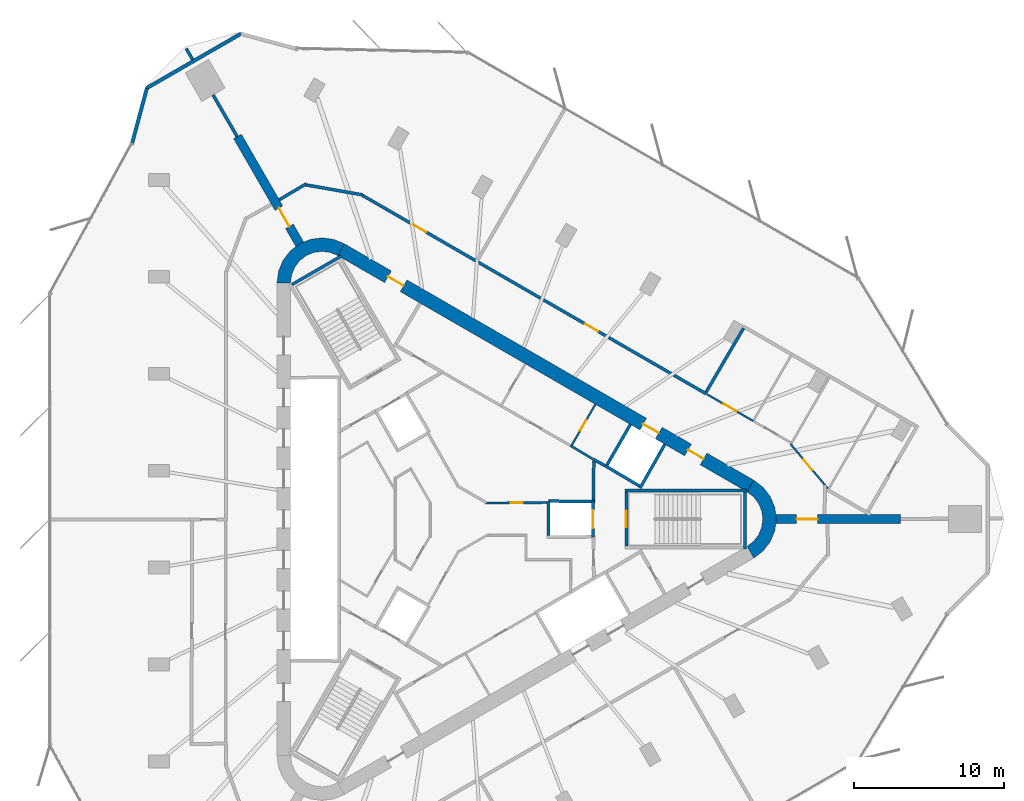
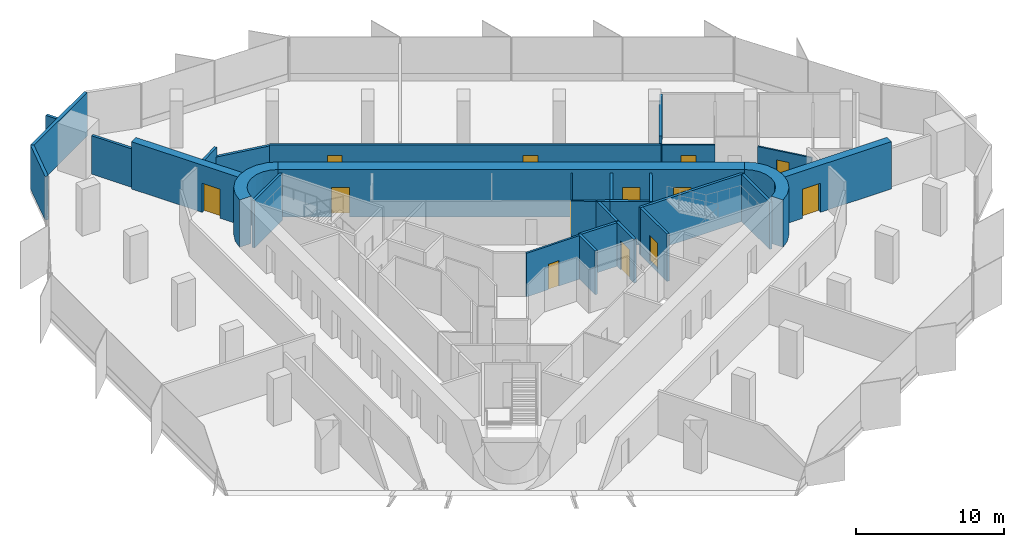
# One storey, part 10 of 12: 30 walls, 13 doors, 13 openings.
"""IFC4 building model written with IfcOpenShell, lengths in metres."""

from ifc_helpers import new_model, si_unit, direction, frame, frame_2d, origin, place, context, subcontext, project, spatial, polyline, rectangle, outline, extrude, material, layer, layer_set, type_object, element, fill, save


model = new_model("IFC4")

# Units and contexts
model_context = context("Model", 3, precision=1e-05, world=origin(), true_north=direction((0.0, 1.0)))
body_context = subcontext(model_context, "Body", "Model", "MODEL_VIEW")
ifc_project = project(units=[si_unit("LENGTHUNIT", "METRE"), si_unit("AREAUNIT", "SQUARE_METRE"), si_unit("VOLUMEUNIT", "CUBIC_METRE"), si_unit("PLANEANGLEUNIT", "RADIAN"), si_unit("MASSUNIT", "GRAM", prefix="KILO")], contexts=[model_context])

# Site, building, storey
site_placement = place(None, origin())
site = spatial("IfcSite", under=ifc_project, at=site_placement, CompositionType="ELEMENT")
building_placement = place(site_placement, origin())
building = spatial("IfcBuilding", under=site, at=building_placement, Name="Tanit Gate Tower", CompositionType="ELEMENT")
storey_placement = place(building_placement, frame((0.0, 0.0, 341.60009765625)))
storey = spatial("IfcBuildingStorey", under=building, at=storey_placement, Name="L77", CompositionType="ELEMENT", Elevation=341.60009765625)

# Wall, opening, door
ifc_material_1 = material(Name="Concrete C40/50", Category="concrete")
ifc_layer_1 = layer(ifc_material_1, 0.60009765625)
ifc_layer_set_1 = layer_set([ifc_layer_1], Name="BUTTRESS FIN 600 C40/50")
wall_type_1 = type_object("IfcWallType", Name="BUTTRESS FIN 600 C40/50", PredefinedType="SHEAR", material=ifc_layer_set_1)
wall_1_placement = place(storey_placement, frame((21.14990234375, 0.0, 0.0), z_axis=(0.0, 0.0, 1.0), x_axis=(1.0, 0.0, 0.0)))
wall_1 = element("IfcWall", 1, at=wall_1_placement, inside=storey, type_object=wall_type_1, Name="BUTTRESS FIN", PredefinedType="SHEAR", context=body_context, shape_type="SweptSolid", body=[
    extrude(rectangle(XDim=8.32080078125, YDim=0.60009765625, at=frame_2d((4.160400390625, 0.0))), origin(), (0.0, 0.0, 1.0), 3.89990234375),
])
opening_1_placement = place(wall_1_placement, frame((1.39990234375, 0.0, 0.0)))
opening_1 = element("IfcOpeningElement", 2, at=opening_1_placement, cuts=wall_1, Name="Opening P14-S21-F-E-1", PredefinedType="OPENING", context=body_context, shape_type="SweptSolid", body=[
    extrude(rectangle(XDim=1.39990234375, YDim=2.39990234375, at=frame_2d((0.699951171875, 1.199951171875))), frame((0.0, 0.31005859375, 0.0), z_axis=(0.0, -1.0, 0.0), x_axis=(1.0, 0.0, 0.0)), (0.0, 0.0, 1.0), 0.6201171875),
])
ifc_material_2 = material(Name="Timber door leaf", Category="wood")
door_type_1 = type_object("IfcDoorType", Name="INT-DOOR-FIN-PAIR-1400", OperationType="NOTDEFINED", PredefinedType="NOTDEFINED", material=ifc_material_2)
door_1_placement = place(opening_1_placement, origin())
door_1 = element("IfcDoor", 3, at=door_1_placement, inside=storey, type_object=door_type_1, Name="Door P14-S21-F-E-1", OperationType="DOUBLE_DOOR_SINGLE_SWING", OverallHeight=2.39990234375, OverallWidth=1.39990234375, PredefinedType="NOTDEFINED", context=body_context, shape_type="SweptSolid", body=[
    extrude(rectangle(XDim=1.39990234375, YDim=2.39990234375, at=frame_2d((0.699951171875, 1.199951171875))), frame((0.0, 0.02490234375, 0.0), z_axis=(0.0, -1.0, 0.0), x_axis=(1.0, 0.0, 0.0)), (0.0, 0.0, 1.0), 0.050048828125),
])
fill(opening_1, door_1)

wall_2_placement = place(storey_placement, frame((-10.574951171875, 18.31640625, 0.0), z_axis=(0.0, 0.0, 1.0), x_axis=(-0.499998447599, 0.866026300061, 0.0)))
wall_2 = element("IfcWall", 4, at=wall_2_placement, inside=storey, type_object=wall_type_1, Name="BUTTRESS FIN", PredefinedType="SHEAR", context=body_context, shape_type="SweptSolid", body=[
    extrude(rectangle(XDim=8.32080078125, YDim=0.60009765625, at=frame_2d((4.160400390625, 0.0))), origin(), (0.0, 0.0, 1.0), 3.89990234375),
])
opening_2_placement = place(wall_2_placement, frame((1.39990234375, 0.0, 0.0)))
opening_2 = element("IfcOpeningElement", 5, at=opening_2_placement, cuts=wall_2, Name="Opening P14-S21-F-NW-1", PredefinedType="OPENING", context=body_context, shape_type="SweptSolid", body=[
    extrude(rectangle(XDim=1.39990234375, YDim=2.39990234375, at=frame_2d((0.699951171875, 1.199951171875))), frame((0.0, 0.31005859375, 0.0), z_axis=(0.0, -1.0, 0.0), x_axis=(1.0, 0.0, 0.0)), (0.0, 0.0, 1.0), 0.6201171875),
])
door_2_placement = place(opening_2_placement, origin())
door_2 = element("IfcDoor", 6, at=door_2_placement, inside=storey, type_object=door_type_1, Name="Door P14-S21-F-NW-1", OperationType="DOUBLE_DOOR_SINGLE_SWING", OverallHeight=2.39990234375, OverallWidth=1.39990234375, PredefinedType="NOTDEFINED", context=body_context, shape_type="SweptSolid", body=[
    extrude(rectangle(XDim=1.39990234375, YDim=2.39990234375, at=frame_2d((0.699951171875, 1.199951171875))), frame((0.0, 0.02490234375, 0.0), z_axis=(0.0, -1.0, 0.0), x_axis=(1.0, 0.0, 0.0)), (0.0, 0.0, 1.0), 0.050048828125),
])
fill(opening_2, door_2)

# Wall, openings, doors
ifc_material_3 = material(Name="Concrete C40/50", Category="concrete")
ifc_layer_2 = layer(ifc_material_3, 0.89990234375)
ifc_layer_set_2 = layer_set([ifc_layer_2], Name="CORE WALL 900 C40/50")
wall_type_2 = type_object("IfcWallType", Name="CORE WALL 900 C40/50", PredefinedType="SHEAR", material=ifc_layer_set_2)
wall_3_placement = place(storey_placement, frame((19.47509765625, 2.20849609375, 0.0), z_axis=(0.0, 0.0, 1.0), x_axis=(-0.866028369851, 0.499994862586, 0.0)))
wall_3 = element("IfcWall", 7, at=wall_3_placement, inside=storey, type_object=wall_type_2, Name="CORE WALL", PredefinedType="SHEAR", context=body_context, shape_type="SweptSolid", body=[
    extrude(rectangle(XDim=31.523193359375, YDim=0.89990234375, at=frame_2d((15.76171875, 0.0))), origin(), (0.0, 0.0, 1.0), 3.89990234375),
])
opening_3_placement = place(wall_3_placement, frame((7.0615234375, 0.0, 0.0)))
opening_3 = element("IfcOpeningElement", 8, at=opening_3_placement, cuts=wall_3, Name="Opening LDHL8-S21", PredefinedType="OPENING", context=body_context, shape_type="SweptSolid", body=[
    extrude(rectangle(XDim=1.199951171875, YDim=2.39990234375, at=frame_2d((0.60009765625, 1.199951171875))), frame((0.0, 0.4599609375, 0.0), z_axis=(0.0, -1.0, 0.0), x_axis=(1.0, 0.0, 0.0)), (0.0, 0.0, 1.0), 0.919921875),
])
opening_4_placement = place(wall_3_placement, frame((3.611572265625, 0.0, 0.0)))
opening_4 = element("IfcOpeningElement", 9, at=opening_4_placement, cuts=wall_3, Name="Opening F12-S21-FL1", PredefinedType="OPENING", context=body_context, shape_type="SweptSolid", body=[
    extrude(rectangle(XDim=1.199951171875, YDim=2.39990234375, at=frame_2d((0.60009765625, 1.199951171875))), frame((0.0, 0.4599609375, 0.0), z_axis=(0.0, -1.0, 0.0), x_axis=(1.0, 0.0, 0.0)), (0.0, 0.0, 1.0), 0.919921875),
])
opening_5_placement = place(wall_3_placement, frame((26.711669921875, 0.0, 0.0)))
opening_5 = element("IfcOpeningElement", 10, at=opening_5_placement, cuts=wall_3, Name="Opening F12-S21-S2", PredefinedType="OPENING", context=body_context, shape_type="SweptSolid", body=[
    extrude(rectangle(XDim=1.199951171875, YDim=2.39990234375, at=frame_2d((0.60009765625, 1.199951171875))), frame((0.0, 0.4599609375, 0.0), z_axis=(0.0, -1.0, 0.0), x_axis=(1.0, 0.0, 0.0)), (0.0, 0.0, 1.0), 0.919921875),
])
ifc_material_4 = material(Name="Fire-rated steel door leaf", Category="steel")
door_type_2 = type_object("IfcDoorType", Name="INT-DOOR-FIRE-LOBBY-1200", OperationType="NOTDEFINED", PredefinedType="USERDEFINED", material=ifc_material_4)
door_3_placement = place(opening_4_placement, origin())
door_3 = element("IfcDoor", 11, at=door_3_placement, inside=storey, type_object=door_type_2, Name="Door F12-S21-FL1", ObjectType="FIRE DOOR", OperationType="SINGLE_SWING_RIGHT", OverallHeight=2.39990234375, OverallWidth=1.199951171875, PredefinedType="USERDEFINED", context=body_context, shape_type="SweptSolid", body=[
    extrude(rectangle(XDim=1.199951171875, YDim=2.39990234375, at=frame_2d((0.60009765625, 1.199951171875))), frame((0.0, 0.02490234375, 0.0), z_axis=(0.0, -1.0, 0.0), x_axis=(1.0, 0.0, 0.0)), (0.0, 0.0, 1.0), 0.050048828125),
])
fill(opening_4, door_3)
door_4_placement = place(opening_5_placement, origin())
door_4 = element("IfcDoor", 12, at=door_4_placement, inside=storey, type_object=door_type_2, Name="Door F12-S21-S2", ObjectType="FIRE DOOR", OperationType="SINGLE_SWING_RIGHT", OverallHeight=2.39990234375, OverallWidth=1.199951171875, PredefinedType="USERDEFINED", context=body_context, shape_type="SweptSolid", body=[
    extrude(rectangle(XDim=1.199951171875, YDim=2.39990234375, at=frame_2d((0.60009765625, 1.199951171875))), frame((0.0, 0.02490234375, 0.0), z_axis=(0.0, -1.0, 0.0), x_axis=(1.0, 0.0, 0.0)), (0.0, 0.0, 1.0), 0.050048828125),
])
fill(opening_5, door_4)
ifc_material_5 = material(Name="Stainless steel sliding door leaf", Category="steel")
door_type_3 = type_object("IfcDoorType", Name="INT-DOOR-LANDING-1200", OperationType="NOTDEFINED", PredefinedType="USERDEFINED", material=ifc_material_5)
door_5_placement = place(opening_3_placement, origin())
door_5 = element("IfcDoor", 13, at=door_5_placement, inside=storey, type_object=door_type_3, Name="Door LDHL8-S21", ObjectType="LANDING DOOR", OperationType="SLIDING_TO_LEFT", OverallHeight=2.39990234375, OverallWidth=1.199951171875, PredefinedType="USERDEFINED", context=body_context, shape_type="SweptSolid", body=[
    extrude(rectangle(XDim=1.199951171875, YDim=2.39990234375, at=frame_2d((0.60009765625, 1.199951171875))), frame((0.0, 0.02490234375, 0.0), z_axis=(0.0, -1.0, 0.0), x_axis=(1.0, 0.0, 0.0)), (0.0, 0.0, 1.0), 0.050048828125),
])
fill(opening_3, door_5)

# Walls
wall_4_placement = place(storey_placement, origin())
element("IfcWall", 14, at=wall_4_placement, inside=storey, type_object=wall_type_2, Name="CORE WALL CORNER", PredefinedType="SHEAR", context=body_context, shape_type="SweptSolid", body=[
    extrude(outline(polyline([(-7.60009765625, 18.359619140625), (-8.323486328125, 18.659423828125), (-9.10009765625, 18.76171875), (-9.87646484375, 18.659423828125), (-10.60009765625, 18.359619140625), (-11.22119140625, 17.883056640625), (-11.697998046875, 17.26171875), (-11.997802734375, 16.5380859375), (-12.10009765625, 15.76171875), (-11.199951171875, 15.76171875), (-11.12841796875, 16.30517578125), (-10.918701171875, 16.811767578125), (-10.5849609375, 17.24658203125), (-10.14990234375, 17.580322265625), (-9.6435546875, 17.7900390625), (-9.10009765625, 17.86181640625), (-8.556396484375, 17.7900390625), (-8.050048828125, 17.580322265625), (-7.60009765625, 18.359619140625)])), origin(), (0.0, 0.0, 1.0), 3.89990234375),
])
wall_5_placement = place(storey_placement, origin())
element("IfcWall", 15, at=wall_5_placement, inside=storey, type_object=wall_type_2, Name="CORE WALL CORNER", PredefinedType="SHEAR", context=body_context, shape_type="SweptSolid", body=[
    extrude(outline(polyline([(19.699951171875, -2.59814453125), (20.3212890625, -2.121337890625), (20.798095703125, -1.5), (21.097900390625, -0.776611328125), (21.199951171875, 0.0), (21.097900390625, 0.776611328125), (20.798095703125, 1.5), (20.3212890625, 2.121337890625), (19.699951171875, 2.59814453125), (19.25, 1.818603515625), (19.684814453125, 1.48486328125), (20.018798828125, 1.050048828125), (20.228515625, 0.54345703125), (20.300048828125, 0.0), (20.228515625, -0.54345703125), (20.018798828125, -1.050048828125), (19.684814453125, -1.48486328125), (19.25, -1.818603515625), (19.699951171875, -2.59814453125)])), origin(), (0.0, 0.0, 1.0), 3.89990234375),
])
ifc_material_6 = material(Name="Concrete C30/37 with bronze anodised aluminium cladding", Category="concrete")
ifc_layer_3 = layer(ifc_material_6, 0.239990234375)
ifc_layer_set_3 = layer_set([ifc_layer_3], Name="Facade wall bronze clad 240")
wall_type_3 = type_object("IfcWallType", Name="Facade wall bronze clad 240", PredefinedType="SOLIDWALL", material=ifc_layer_set_3)
wall_6_placement = place(storey_placement, frame((-14.509521484375, 32.375244140625, 0.0), z_axis=(0.0, 0.0, 1.0), x_axis=(-0.866019457076, -0.500010299859, 0.0)))
element("IfcWall", 16, at=wall_6_placement, inside=storey, type_object=wall_type_3, Name="Bronze-clad facade wall L77 NW.arc2", PredefinedType="SOLIDWALL", context=body_context, shape_type="SweptSolid", body=[
    extrude(rectangle(XDim=7.243896484375, YDim=0.239990234375, at=frame_2d((3.6220703125, 0.0))), origin(), (0.0, 0.0, 1.0), 3.599853515625),
])
wall_7_placement = place(storey_placement, frame((-20.782958984375, 28.753173828125, 0.0), z_axis=(0.0, 0.0, 1.0), x_axis=(-0.258843233206, -0.965919344782, 0.0)))
element("IfcWall", 17, at=wall_7_placement, inside=storey, type_object=wall_type_3, Name="Bronze-clad facade wall L77 NW.arc3", PredefinedType="SOLIDWALL", context=body_context, shape_type="SweptSolid", body=[
    extrude(rectangle(XDim=3.79638671875, YDim=0.239990234375, at=frame_2d((1.898193359375, 0.0))), origin(), (0.0, 0.0, 1.0), 3.599853515625),
])
ifc_material_7 = material(Name="Fire-rated gypsum board partition")
ifc_layer_4 = layer(ifc_material_7, 0.199951171875)
ifc_layer_set_4 = layer_set([ifc_layer_4], Name="INT-WALL-COMPARTMENT")
wall_type_4 = type_object("IfcWallType", Name="INT-WALL-COMPARTMENT", PredefinedType="PARTITIONING", material=ifc_layer_set_4)
wall_8_placement = place(storey_placement, frame((8.97412109375, 3.998779296875, 0.0), z_axis=(0.0, 0.0, 1.0), x_axis=(0.880917147855, -0.473270513147, 0.0)))
element("IfcWall", 18, at=wall_8_placement, inside=storey, type_object=wall_type_4, Name="Wall Compartment W045", PredefinedType="PARTITIONING", context=body_context, shape_type="SweptSolid", body=[
    extrude(rectangle(XDim=0.8779296875, YDim=0.199951171875, at=frame_2d((0.43896484375, 0.0))), origin(), (0.0, 0.0, 1.0), 3.599853515625),
])
wall_9_placement = place(storey_placement, frame((9.0009765625, 1.27001953125, 0.0), z_axis=(0.0, 0.0, 1.0), x_axis=(0.010751103362, 0.999942205218, 0.0)))
element("IfcWall", 19, at=wall_9_placement, inside=storey, type_object=wall_type_4, Name="Wall Compartment W059", PredefinedType="PARTITIONING", context=body_context, shape_type="SweptSolid", body=[
    extrude(rectangle(XDim=2.72509765625, YDim=0.199951171875, at=frame_2d((1.362548828125, 0.0))), origin(), (0.0, 0.0, 1.0), 3.599853515625),
])
wall_10_placement = place(storey_placement, frame((-10.154541015625, 22.3671875, 0.0), z_axis=(0.0, 0.0, 1.0), x_axis=(-0.859343009577, -0.511399640097, 0.0)))
element("IfcWall", 20, at=wall_10_placement, inside=storey, type_object=wall_type_4, Name="Wall Compartment W094", PredefinedType="PARTITIONING", context=body_context, shape_type="SweptSolid", body=[
    extrude(rectangle(XDim=2.089599609375, YDim=0.199951171875, at=frame_2d((1.044921875, 0.0))), origin(), (0.0, 0.0, 1.0), 3.599853515625),
])
wall_11_placement = place(storey_placement, frame((-6.389404296875, 21.626220703125, 0.0), z_axis=(0.0, 0.0, 1.0), x_axis=(-0.984802578286, 0.173677522442, 0.0)))
element("IfcWall", 21, at=wall_11_placement, inside=storey, type_object=wall_type_4, Name="Wall Compartment W095", PredefinedType="PARTITIONING", context=body_context, shape_type="SweptSolid", body=[
    extrude(rectangle(XDim=3.87548828125, YDim=0.199951171875, at=frame_2d((1.937744140625, 0.0))), origin(), (0.0, 0.0, 1.0), 2.8798828125),
])

# Wall, openings, doors
wall_12_placement = place(storey_placement, frame((16.52294921875, 8.3583984375, 0.0), z_axis=(0.0, 0.0, 1.0), x_axis=(-0.866025545866, 0.499999753908, 0.0)))
wall_12 = element("IfcWall", 22, at=wall_12_placement, inside=storey, type_object=wall_type_4, Name="Wall Compartment W097", PredefinedType="PARTITIONING", context=body_context, shape_type="SweptSolid", body=[
    extrude(rectangle(XDim=26.470703125, YDim=0.199951171875, at=frame_2d((13.2353515625, 0.0))), origin(), (0.0, 0.0, 1.0), 2.969970703125),
])
opening_6_placement = place(wall_12_placement, frame((21.567626953125, 0.0, 0.0)))
opening_6 = element("IfcOpeningElement", 23, at=opening_6_placement, cuts=wall_12, Name="Opening F10-S21-28", PredefinedType="OPENING", context=body_context, shape_type="SweptSolid", body=[
    extrude(rectangle(XDim=1.0, YDim=2.10009765625, at=frame_2d((0.5, 1.050048828125))), frame((0.0, 0.10986328125, 0.0), z_axis=(0.0, -1.0, 0.0), x_axis=(1.0, 0.0, 0.0)), (0.0, 0.0, 1.0), 0.219970703125),
])
opening_7_placement = place(wall_12_placement, frame((8.33251953125, 0.0, 0.0)))
opening_7 = element("IfcOpeningElement", 24, at=opening_7_placement, cuts=wall_12, Name="Opening F10-S21-29", PredefinedType="OPENING", context=body_context, shape_type="SweptSolid", body=[
    extrude(rectangle(XDim=1.0, YDim=2.10009765625, at=frame_2d((0.5, 1.050048828125))), frame((0.0, 0.10986328125, 0.0), z_axis=(0.0, -1.0, 0.0), x_axis=(1.0, 0.0, 0.0)), (0.0, 0.0, 1.0), 0.219970703125),
])
ifc_material_8 = material(Name="Fire-rated steel door leaf", Category="steel")
door_type_4 = type_object("IfcDoorType", Name="INT-DOOR-FIRE-1000", OperationType="NOTDEFINED", PredefinedType="USERDEFINED", material=ifc_material_8)
door_6_placement = place(opening_6_placement, origin())
door_6 = element("IfcDoor", 25, at=door_6_placement, inside=storey, type_object=door_type_4, Name="Door F10-S21-28", ObjectType="FIRE DOOR", OperationType="SINGLE_SWING_RIGHT", OverallHeight=2.10009765625, OverallWidth=1.0, PredefinedType="USERDEFINED", context=body_context, shape_type="SweptSolid", body=[
    extrude(rectangle(XDim=1.0, YDim=2.10009765625, at=frame_2d((0.5, 1.050048828125))), frame((0.0, 0.02490234375, 0.0), z_axis=(0.0, -1.0, 0.0), x_axis=(1.0, 0.0, 0.0)), (0.0, 0.0, 1.0), 0.050048828125),
])
fill(opening_6, door_6)
door_7_placement = place(opening_7_placement, origin())
door_7 = element("IfcDoor", 26, at=door_7_placement, inside=storey, type_object=door_type_4, Name="Door F10-S21-29", ObjectType="FIRE DOOR", OperationType="SINGLE_SWING_RIGHT", OverallHeight=2.10009765625, OverallWidth=1.0, PredefinedType="USERDEFINED", context=body_context, shape_type="SweptSolid", body=[
    extrude(rectangle(XDim=1.0, YDim=2.10009765625, at=frame_2d((0.5, 1.050048828125))), frame((0.0, 0.02490234375, 0.0), z_axis=(0.0, -1.0, 0.0), x_axis=(1.0, 0.0, 0.0)), (0.0, 0.0, 1.0), 0.050048828125),
])
fill(opening_7, door_7)

# Walls
wall_13_placement = place(storey_placement, frame((-14.761474609375, 25.50732421875, 0.0), z_axis=(0.0, 0.0, 1.0), x_axis=(-0.499967746641, 0.866044024469, 0.0)))
element("IfcWall", 27, at=wall_13_placement, inside=storey, type_object=wall_type_4, Name="Wall Compartment W113", PredefinedType="PARTITIONING", context=body_context, shape_type="SweptSolid", body=[
    extrude(rectangle(XDim=3.216552734375, YDim=0.199951171875, at=frame_2d((1.6083984375, 0.0))), origin(), (0.0, 0.0, 1.0), 3.169921875),
])
wall_14_placement = place(storey_placement, frame((-17.732177734375, 30.653076171875, 0.0), z_axis=(0.0, 0.0, 1.0), x_axis=(-0.499973348067, 0.866040790738, 0.0)))
element("IfcWall", 28, at=wall_14_placement, inside=storey, type_object=wall_type_4, Name="Wall Compartment W112", PredefinedType="PARTITIONING", context=body_context, shape_type="SweptSolid", body=[
    extrude(rectangle(XDim=0.84228515625, YDim=0.199951171875, at=frame_2d((0.421142578125, 0.0))), origin(), (0.0, 0.0, 1.0), 3.599853515625),
])
wall_15_placement = place(storey_placement, frame((16.521484375, 8.474609375, 0.0), z_axis=(0.0, 0.0, 1.0), x_axis=(0.505019065689, 0.863108187477, 0.0)))
element("IfcWall", 29, at=wall_15_placement, inside=storey, type_object=wall_type_4, Name="Wall Compartment W118", PredefinedType="PARTITIONING", context=body_context, shape_type="SweptSolid", body=[
    extrude(rectangle(XDim=4.929931640625, YDim=0.199951171875, at=frame_2d((2.46484375, 0.0))), origin(), (0.0, 0.0, 1.0), 3.599853515625),
])

# Wall, opening, door
ifc_material_9 = material(Name="Gypsum board partition")
ifc_layer_5 = layer(ifc_material_9, 0.1201171875)
ifc_layer_set_5 = layer_set([ifc_layer_5], Name="INT-WALL-PARTITION")
wall_type_5 = type_object("IfcWallType", Name="INT-WALL-PARTITION", PredefinedType="PARTITIONING", material=ifc_layer_set_5)
wall_16_placement = place(storey_placement, frame((7.50830078125, 4.844970703125, 0.0), z_axis=(0.0, 0.0, 1.0), x_axis=(0.500017246033, 0.866015446554, 0.0)))
wall_16 = element("IfcWall", 30, at=wall_16_placement, inside=storey, type_object=wall_type_5, Name="Wall Partition W044", PredefinedType="PARTITIONING", context=body_context, shape_type="SweptSolid", body=[
    extrude(rectangle(XDim=3.25, YDim=0.1201171875, at=frame_2d((1.625, 0.0))), origin(), (0.0, 0.0, 1.0), 3.599853515625),
])
opening_8_placement = place(wall_16_placement, frame((1.22509765625, 0.0, 0.0)))
opening_8 = element("IfcOpeningElement", 31, at=opening_8_placement, cuts=wall_16, Name="Opening R08-S21-14", PredefinedType="OPENING", context=body_context, shape_type="SweptSolid", body=[
    extrude(rectangle(XDim=0.800048828125, YDim=2.10009765625, at=frame_2d((0.39990234375, 1.050048828125))), frame((0.0, 0.070068359375, 0.0), z_axis=(0.0, -1.0, 0.0), x_axis=(1.0, 0.0, 0.0)), (0.0, 0.0, 1.0), 0.14013671875),
])
ifc_material_10 = material(Name="Timber door leaf", Category="wood")
door_type_5 = type_object("IfcDoorType", Name="INT-DOOR-RISER-800", OperationType="NOTDEFINED", PredefinedType="USERDEFINED", material=ifc_material_10)
door_8_placement = place(opening_8_placement, origin())
door_8 = element("IfcDoor", 32, at=door_8_placement, inside=storey, type_object=door_type_5, Name="Door R08-S21-14", ObjectType="FIRE DOOR", OperationType="SINGLE_SWING_RIGHT", OverallHeight=2.10009765625, OverallWidth=0.800048828125, PredefinedType="USERDEFINED", context=body_context, shape_type="SweptSolid", body=[
    extrude(rectangle(XDim=0.800048828125, YDim=2.10009765625, at=frame_2d((0.39990234375, 1.050048828125))), frame((0.0, 0.02490234375, 0.0), z_axis=(0.0, -1.0, 0.0), x_axis=(1.0, 0.0, 0.0)), (0.0, 0.0, 1.0), 0.050048828125),
])
fill(opening_8, door_8)

wall_17_placement = place(storey_placement, frame((19.6640625, 6.544921875, 0.0), z_axis=(0.0, 0.0, 1.0), x_axis=(-0.866048453834, 0.499960074017, 0.0)))
wall_17 = element("IfcWall", 33, at=wall_17_placement, inside=storey, type_object=wall_type_5, Name="Wall Partition W099", PredefinedType="PARTITIONING", context=body_context, shape_type="SweptSolid", body=[
    extrude(rectangle(XDim=3.587158203125, YDim=0.1201171875, at=frame_2d((1.79345703125, 0.0))), origin(), (0.0, 0.0, 1.0), 2.969970703125),
])
opening_9_placement = place(wall_17_placement, frame((1.293701171875, 0.0, 0.0)))
opening_9 = element("IfcOpeningElement", 34, at=opening_9_placement, cuts=wall_17, Name="Opening D10-S21-22", PredefinedType="OPENING", context=body_context, shape_type="SweptSolid", body=[
    extrude(rectangle(XDim=1.0, YDim=2.10009765625, at=frame_2d((0.5, 1.050048828125))), frame((0.0, 0.070068359375, 0.0), z_axis=(0.0, -1.0, 0.0), x_axis=(1.0, 0.0, 0.0)), (0.0, 0.0, 1.0), 0.14013671875),
])
ifc_material_11 = material(Name="Timber door leaf", Category="wood")
door_type_6 = type_object("IfcDoorType", Name="INT-DOOR-SINGLE-1000", OperationType="NOTDEFINED", PredefinedType="NOTDEFINED", material=ifc_material_11)
door_9_placement = place(opening_9_placement, origin())
door_9 = element("IfcDoor", 35, at=door_9_placement, inside=storey, type_object=door_type_6, Name="Door D10-S21-22", OperationType="SINGLE_SWING_RIGHT", OverallHeight=2.10009765625, OverallWidth=1.0, PredefinedType="NOTDEFINED", context=body_context, shape_type="SweptSolid", body=[
    extrude(rectangle(XDim=1.0, YDim=2.10009765625, at=frame_2d((0.5, 1.050048828125))), frame((0.0, 0.02490234375, 0.0), z_axis=(0.0, -1.0, 0.0), x_axis=(1.0, 0.0, 0.0)), (0.0, 0.0, 1.0), 0.050048828125),
])
fill(opening_9, door_9)

wall_18_placement = place(storey_placement, frame((24.639892578125, 2.042724609375, 0.0), z_axis=(0.0, 0.0, 1.0), x_axis=(-0.642784930138, 0.766046691519, 0.0)))
wall_18 = element("IfcWall", 36, at=wall_18_placement, inside=storey, type_object=wall_type_5, Name="Wall Partition W101", PredefinedType="PARTITIONING", context=body_context, shape_type="SweptSolid", body=[
    extrude(rectangle(XDim=3.882080078125, YDim=0.1201171875, at=frame_2d((1.94091796875, 0.0))), origin(), (0.0, 0.0, 1.0), 2.8798828125),
])
opening_10_placement = place(wall_18_placement, frame((1.62060546875, 0.0, 0.0)))
opening_10 = element("IfcOpeningElement", 37, at=opening_10_placement, cuts=wall_18, Name="Opening D09-S21-24", PredefinedType="OPENING", context=body_context, shape_type="SweptSolid", body=[
    extrude(rectangle(XDim=0.89990234375, YDim=2.10009765625, at=frame_2d((0.449951171875, 1.050048828125))), frame((0.0, 0.070068359375, 0.0), z_axis=(0.0, -1.0, 0.0), x_axis=(1.0, 0.0, 0.0)), (0.0, 0.0, 1.0), 0.14013671875),
])
ifc_material_12 = material(Name="Timber door leaf", Category="wood")
door_type_7 = type_object("IfcDoorType", Name="INT-DOOR-SINGLE-900", OperationType="NOTDEFINED", PredefinedType="NOTDEFINED", material=ifc_material_12)
door_10_placement = place(opening_10_placement, origin())
door_10 = element("IfcDoor", 38, at=door_10_placement, inside=storey, type_object=door_type_7, Name="Door D09-S21-24", OperationType="SINGLE_SWING_LEFT", OverallHeight=2.10009765625, OverallWidth=0.89990234375, PredefinedType="NOTDEFINED", context=body_context, shape_type="SweptSolid", body=[
    extrude(rectangle(XDim=0.89990234375, YDim=2.10009765625, at=frame_2d((0.449951171875, 1.050048828125))), frame((0.0, 0.02490234375, 0.0), z_axis=(0.0, -1.0, 0.0), x_axis=(1.0, 0.0, 0.0)), (0.0, 0.0, 1.0), 0.050048828125),
])
fill(opening_10, door_10)

# Wall
ifc_material_13 = material(Name="Fire-rated gypsum board partition")
ifc_layer_6 = layer(ifc_material_13, 0.14990234375)
ifc_layer_set_6 = layer_set([ifc_layer_6], Name="INT-WALL-RISER")
wall_type_6 = type_object("IfcWallType", Name="INT-WALL-RISER", PredefinedType="PLUMBINGWALL", material=ifc_layer_set_6)
wall_19_placement = place(storey_placement, frame((8.9306640625, 4.026123046875, 0.0), z_axis=(0.0, 0.0, 1.0), x_axis=(-0.857531586833, 0.514431314738, 0.0)))
element("IfcWall", 39, at=wall_19_placement, inside=storey, type_object=wall_type_6, Name="Wall Riser W046", PredefinedType="PLUMBINGWALL", context=body_context, shape_type="SweptSolid", body=[
    extrude(rectangle(XDim=1.67138671875, YDim=0.14990234375, at=frame_2d((0.835693359375, 0.0))), origin(), (0.0, 0.0, 1.0), 3.599853515625),
])

# Wall, opening, door
wall_20_placement = place(storey_placement, frame((1.777587890625, 1.073974609375, 0.0), z_axis=(0.0, 0.0, 1.0), x_axis=(0.999973898196, 0.007225159347, 0.0)))
wall_20 = element("IfcWall", 40, at=wall_20_placement, inside=storey, type_object=wall_type_6, Name="Wall Riser W065", PredefinedType="PLUMBINGWALL", context=body_context, shape_type="SweptSolid", body=[
    extrude(rectangle(XDim=4.122314453125, YDim=0.14990234375, at=frame_2d((2.06103515625, 0.0))), origin(), (0.0, 0.0, 1.0), 3.599853515625),
])
opening_11_placement = place(wall_20_placement, frame((1.72509765625, 0.0, 0.0)))
opening_11 = element("IfcOpeningElement", 41, at=opening_11_placement, cuts=wall_20, Name="Opening R08-S21-10", PredefinedType="OPENING", context=body_context, shape_type="SweptSolid", body=[
    extrude(rectangle(XDim=0.800048828125, YDim=2.10009765625, at=frame_2d((0.39990234375, 1.050048828125))), frame((0.0, 0.0849609375, 0.0), z_axis=(0.0, -1.0, 0.0), x_axis=(1.0, 0.0, 0.0)), (0.0, 0.0, 1.0), 0.169921875),
])
door_11_placement = place(opening_11_placement, origin())
door_11 = element("IfcDoor", 42, at=door_11_placement, inside=storey, type_object=door_type_5, Name="Door R08-S21-10", ObjectType="FIRE DOOR", OperationType="SINGLE_SWING_RIGHT", OverallHeight=2.10009765625, OverallWidth=0.800048828125, PredefinedType="USERDEFINED", context=body_context, shape_type="SweptSolid", body=[
    extrude(rectangle(XDim=0.800048828125, YDim=2.10009765625, at=frame_2d((0.39990234375, 1.050048828125))), frame((0.0, 0.02490234375, 0.0), z_axis=(0.0, -1.0, 0.0), x_axis=(1.0, 0.0, 0.0)), (0.0, 0.0, 1.0), 0.050048828125),
])
fill(opening_11, door_11)

# Walls
ifc_material_14 = material(Name="Gypsum shaft wall system")
ifc_layer_7 = layer(ifc_material_14, 0.199951171875)
ifc_layer_set_7 = layer_set([ifc_layer_7], Name="INT-WALL-SHAFT")
wall_type_7 = type_object("IfcWallType", Name="INT-WALL-SHAFT", PredefinedType="PLUMBINGWALL", material=ifc_layer_set_7)
wall_21_placement = place(storey_placement, frame((9.8466796875, 3.494873046875, 0.0), z_axis=(0.0, 0.0, 1.0), x_axis=(0.499984717929, 0.866034226713, 0.0)))
element("IfcWall", 43, at=wall_21_placement, inside=storey, type_object=wall_type_7, Name="Wall Shaft W012", PredefinedType="PLUMBINGWALL", context=body_context, shape_type="SweptSolid", body=[
    extrude(rectangle(XDim=3.25, YDim=0.199951171875, at=frame_2d((1.625, 0.0))), origin(), (0.0, 0.0, 1.0), 3.599853515625),
])
wall_22_placement = place(storey_placement, frame((12.10986328125, 2.07275390625, 0.0), z_axis=(0.0, 0.0, 1.0), x_axis=(0.49196600604, 0.870614408852, 0.0)))
element("IfcWall", 44, at=wall_22_placement, inside=storey, type_object=wall_type_7, Name="Wall Shaft W013", PredefinedType="PLUMBINGWALL", context=body_context, shape_type="SweptSolid", body=[
    extrude(rectangle(XDim=3.35009765625, YDim=0.199951171875, at=frame_2d((1.675048828125, 0.0))), origin(), (0.0, 0.0, 1.0), 3.599853515625),
])
wall_23_placement = place(storey_placement, frame((12.072998046875, 2.2109375, 0.0), z_axis=(0.0, 0.0, 1.0), x_axis=(-0.860414880418, 0.509594185166, 0.0)))
element("IfcWall", 45, at=wall_23_placement, inside=storey, type_object=wall_type_7, Name="Wall Shaft W014", PredefinedType="PLUMBINGWALL", context=body_context, shape_type="SweptSolid", body=[
    extrude(rectangle(XDim=2.7001953125, YDim=0.199951171875, at=frame_2d((1.35009765625, 0.0))), origin(), (0.0, 0.0, 1.0), 3.599853515625),
])

# Wall, opening, door
wall_24_placement = place(storey_placement, frame((8.969970703125, 1.199951171875, 0.0), z_axis=(0.0, 0.0, 1.0), x_axis=(0.0, -1.0, 0.0)))
wall_24 = element("IfcWall", 46, at=wall_24_placement, inside=storey, type_object=wall_type_7, Name="Wall Shaft W024", PredefinedType="PLUMBINGWALL", context=body_context, shape_type="SweptSolid", body=[
    extrude(rectangle(XDim=2.39990234375, YDim=0.199951171875, at=frame_2d((1.199951171875, 0.0))), origin(), (0.0, 0.0, 1.0), 3.599853515625),
])
opening_12_placement = place(wall_24_placement, frame((0.60009765625, 0.0, 0.0)))
opening_12 = element("IfcOpeningElement", 47, at=opening_12_placement, cuts=wall_24, Name="Opening LDFL1-L77", PredefinedType="OPENING", context=body_context, shape_type="SweptSolid", body=[
    extrude(rectangle(XDim=1.199951171875, YDim=2.39990234375, at=frame_2d((0.60009765625, 1.199951171875))), frame((0.0, 0.10986328125, 0.0), z_axis=(0.0, -1.0, 0.0), x_axis=(1.0, 0.0, 0.0)), (0.0, 0.0, 1.0), 0.219970703125),
])
door_12_placement = place(opening_12_placement, origin())
door_12 = element("IfcDoor", 48, at=door_12_placement, inside=storey, type_object=door_type_3, Name="Door LDFL1-L77", ObjectType="LANDING DOOR", OperationType="SLIDING_TO_LEFT", OverallHeight=2.39990234375, OverallWidth=1.199951171875, PredefinedType="USERDEFINED", context=body_context, shape_type="SweptSolid", body=[
    extrude(rectangle(XDim=1.199951171875, YDim=2.39990234375, at=frame_2d((0.60009765625, 1.199951171875))), frame((0.0, 0.02490234375, 0.0), z_axis=(0.0, -1.0, 0.0), x_axis=(1.0, 0.0, 0.0)), (0.0, 0.0, 1.0), 0.050048828125),
])
fill(opening_12, door_12)

# Walls
wall_25_placement = place(storey_placement, frame((6.0, 1.199951171875, 0.0), z_axis=(0.0, 0.0, 1.0), x_axis=(0.999949988, -0.010001074852, 0.0)))
element("IfcWall", 49, at=wall_25_placement, inside=storey, type_object=wall_type_7, Name="Wall Shaft W025", PredefinedType="PLUMBINGWALL", context=body_context, shape_type="SweptSolid", body=[
    extrude(rectangle(XDim=3.100341796875, YDim=0.199951171875, at=frame_2d((1.55029296875, 0.0))), origin(), (0.0, 0.0, 1.0), 3.599853515625),
])
wall_26_placement = place(storey_placement, frame((6.0, -1.10009765625, 0.0), z_axis=(0.0, 0.0, 1.0), x_axis=(0.0, 1.0, 0.0)))
element("IfcWall", 50, at=wall_26_placement, inside=storey, type_object=wall_type_7, Name="Wall Shaft W027", PredefinedType="PLUMBINGWALL", context=body_context, shape_type="SweptSolid", body=[
    extrude(rectangle(XDim=2.279541015625, YDim=0.199951171875, at=frame_2d((1.1396484375, 0.0))), origin(), (0.0, 0.0, 1.0), 3.599853515625),
])
ifc_material_15 = material(Name="Concrete C40/50", Category="concrete")
ifc_layer_8 = layer(ifc_material_15, 0.199951171875)
ifc_layer_set_8 = layer_set([ifc_layer_8], Name="INT-WALL-STAIR")
wall_type_8 = type_object("IfcWallType", Name="INT-WALL-STAIR", PredefinedType="SHEAR", material=ifc_layer_set_8)
wall_27_placement = place(storey_placement, frame((19.199951171875, 1.89990234375, -0.300048828125), z_axis=(0.0, 0.0, 1.0), x_axis=(-1.0, 0.0, 0.0)))
element("IfcWall", 51, at=wall_27_placement, inside=storey, type_object=wall_type_8, Name="Wall Stair W020", PredefinedType="SHEAR", context=body_context, shape_type="SweptSolid", body=[
    extrude(rectangle(XDim=8.099853515625, YDim=0.199951171875, at=frame_2d((4.0498046875, 0.0))), origin(), (0.0, 0.0, 1.0), 3.89990234375),
])
wall_28_placement = place(storey_placement, frame((19.10009765625, -2.0, -0.300048828125), z_axis=(0.0, 0.0, 1.0), x_axis=(0.0, 1.0, 0.0)))
element("IfcWall", 52, at=wall_28_placement, inside=storey, type_object=wall_type_8, Name="Wall Stair W021", PredefinedType="SHEAR", context=body_context, shape_type="SweptSolid", body=[
    extrude(rectangle(XDim=3.800048828125, YDim=0.199951171875, at=frame_2d((1.89990234375, 0.0))), origin(), (0.0, 0.0, 1.0), 3.89990234375),
])

# Wall, opening, door
wall_29_placement = place(storey_placement, frame((11.199951171875, -1.800048828125, -0.300048828125), z_axis=(0.0, 0.0, 1.0), x_axis=(0.0, 1.0, 0.0)))
wall_29 = element("IfcWall", 53, at=wall_29_placement, inside=storey, type_object=wall_type_8, Name="Wall Stair W023", PredefinedType="SHEAR", context=body_context, shape_type="SweptSolid", body=[
    extrude(rectangle(XDim=3.60009765625, YDim=0.199951171875, at=frame_2d((1.800048828125, 0.0))), origin(), (0.0, 0.0, 1.0), 3.89990234375),
])
opening_13_placement = place(wall_29_placement, frame((1.25, 0.0, 0.300048828125)))
opening_13 = element("IfcOpeningElement", 54, at=opening_13_placement, cuts=wall_29, Name="Opening S11-S21-01", PredefinedType="OPENING", context=body_context, shape_type="SweptSolid", body=[
    extrude(rectangle(XDim=1.10009765625, YDim=2.10009765625, at=frame_2d((0.550048828125, 1.050048828125))), frame((0.0, 0.10986328125, 0.0), z_axis=(0.0, -1.0, 0.0), x_axis=(1.0, 0.0, 0.0)), (0.0, 0.0, 1.0), 0.219970703125),
])
ifc_material_16 = material(Name="Timber door leaf", Category="wood")
door_type_8 = type_object("IfcDoorType", Name="INT-DOOR-STAIR-1100", OperationType="NOTDEFINED", PredefinedType="USERDEFINED", material=ifc_material_16)
door_13_placement = place(opening_13_placement, origin())
door_13 = element("IfcDoor", 55, at=door_13_placement, inside=storey, type_object=door_type_8, Name="Door S11-S21-01", ObjectType="FIRE DOOR", OperationType="SINGLE_SWING_LEFT", OverallHeight=2.10009765625, OverallWidth=1.10009765625, PredefinedType="USERDEFINED", context=body_context, shape_type="SweptSolid", body=[
    extrude(rectangle(XDim=1.10009765625, YDim=2.10009765625, at=frame_2d((0.550048828125, 1.050048828125))), frame((0.0, 0.02490234375, 0.0), z_axis=(0.0, -1.0, 0.0), x_axis=(1.0, 0.0, 0.0)), (0.0, 0.0, 1.0), 0.050048828125),
])
fill(opening_13, door_13)

# Wall
wall_30_placement = place(storey_placement, frame((-7.81787109375, 17.541015625, -0.300048828125), z_axis=(0.0, 0.0, 1.0), x_axis=(-0.866044365799, -0.499967155389, 0.0)))
element("IfcWall", 56, at=wall_30_placement, inside=storey, type_object=wall_type_8, Name="Wall Stair W029", PredefinedType="SHEAR", context=body_context, shape_type="SweptSolid", body=[
    extrude(rectangle(XDim=3.800048828125, YDim=0.199951171875, at=frame_2d((1.89990234375, 0.0))), origin(), (0.0, 0.0, 1.0), 3.89990234375),
])

save(model, "model.ifc")
